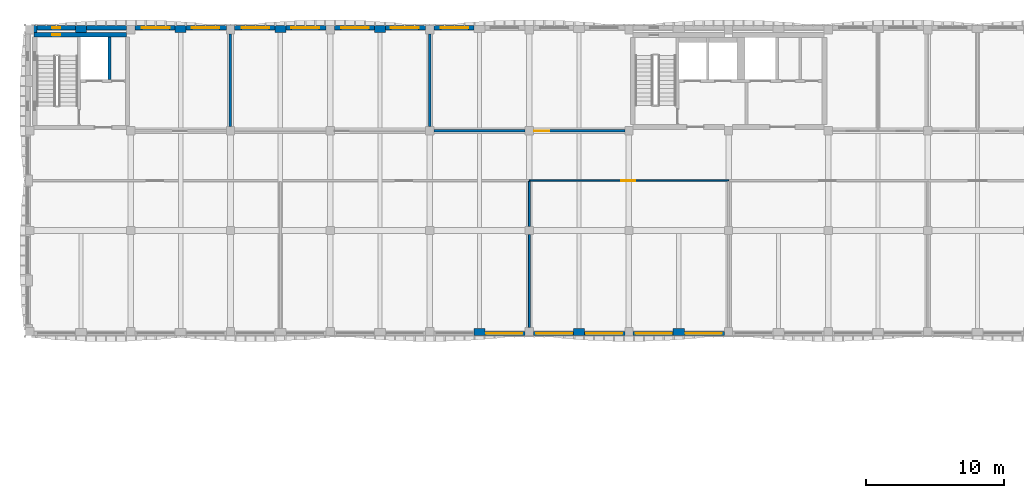
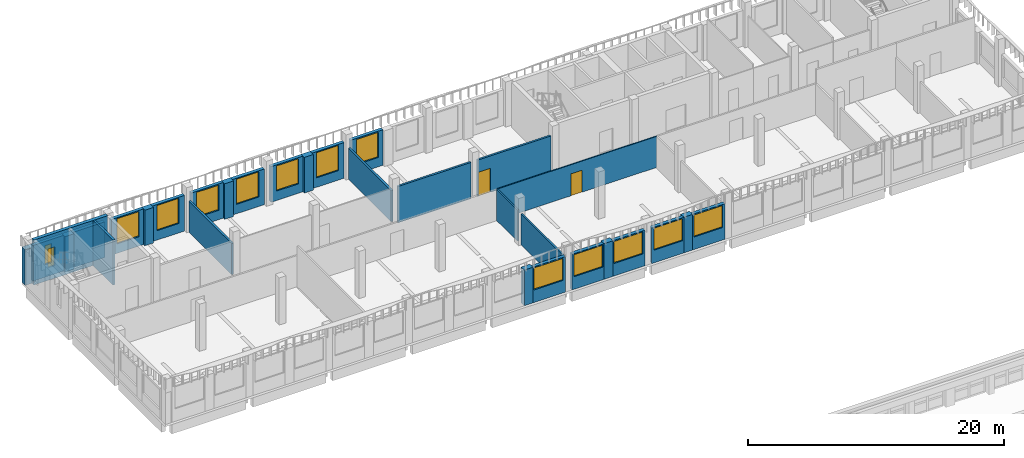
# One storey, part 14 of 38: 31 walls, 14 windows, 2 doors, 16 openings.
"""IFC4 building model written with IfcOpenShell, lengths in metres."""

from ifc_helpers import new_model, si_unit, direction, frame, frame_2d, origin, place, context, subcontext, project, spatial, rectangle, extrude, material, layer, layer_set, type_object, element, fill, save


model = new_model("IFC4")

# Units and contexts
model_context = context("Model", 3, precision=1e-05, world=origin(), true_north=direction((0.0, 1.0)))
body_context = subcontext(model_context, "Body", "Model", "MODEL_VIEW")
ifc_project = project(units=[si_unit("LENGTHUNIT", "METRE"), si_unit("AREAUNIT", "SQUARE_METRE"), si_unit("VOLUMEUNIT", "CUBIC_METRE"), si_unit("PLANEANGLEUNIT", "RADIAN"), si_unit("MASSUNIT", "GRAM", prefix="KILO")], contexts=[model_context])

# Site, building, storey
site_placement = place(None, origin())
site = spatial("IfcSite", under=ifc_project, at=site_placement, CompositionType="ELEMENT")
building_placement = place(site_placement, origin())
building = spatial("IfcBuilding", under=site, at=building_placement, Name="Ussher Court Research Institute", CompositionType="ELEMENT")
storey_placement = place(building_placement, frame((0.0, 0.0, 23.39990234375)))
storey = spatial("IfcBuildingStorey", under=building, at=storey_placement, Name="L05", CompositionType="ELEMENT", Elevation=23.39990234375)

# Wall
ifc_material_1 = material(Name="Plasterboard on steel studs with mineral wool", Category="steel")
ifc_layer_1 = layer(ifc_material_1, 0.179931640625)
ifc_layer_set_1 = layer_set([ifc_layer_1], Name="Plasterboard on steel studs with mineral wool")
wall_type_1 = type_object("IfcWallType", Name="Acoustic twin-stud partition 180", PredefinedType="PARTITIONING", material=ifc_layer_set_1)
wall_1_placement = place(storey_placement, frame((32.10009765625, 83.199951171875, 0.0), z_axis=(0.0, 0.0, 1.0), x_axis=(1.0, 0.0, 0.0)))
element("IfcWall", 1, at=wall_1_placement, inside=storey, type_object=wall_type_1, Name="Partition", PredefinedType="PARTITIONING", context=body_context, shape_type="SweptSolid", body=[
    extrude(rectangle(XDim=6.599853515625, YDim=0.179931640625, at=frame_2d((3.2998046875, 0.0))), origin(), (0.0, 0.0, 1.0), 3.47021484375),
])

# Wall, opening, door
wall_2_placement = place(storey_placement, frame((39.300048828125, 83.199951171875, 0.0), z_axis=(0.0, 0.0, 1.0), x_axis=(1.0, 0.0, 0.0)))
wall_2 = element("IfcWall", 2, at=wall_2_placement, inside=storey, type_object=wall_type_1, Name="Partition", PredefinedType="PARTITIONING", context=body_context, shape_type="SweptSolid", body=[
    extrude(rectangle(XDim=6.599853515625, YDim=0.179931640625, at=frame_2d((3.2998046875, 0.0))), origin(), (0.0, 0.0, 1.0), 3.47021484375),
])
opening_1_placement = place(wall_2_placement, frame((0.050048828125, 0.0, 0.0)))
opening_1 = element("IfcOpeningElement", 3, at=opening_1_placement, cuts=wall_2, Name="Opening D05008", PredefinedType="OPENING", context=body_context, shape_type="SweptSolid", body=[
    extrude(rectangle(XDim=1.10009765625, YDim=2.300048828125, at=frame_2d((0.550048828125, 1.14990234375))), frame((0.0, 0.10009765625, 0.0), z_axis=(0.0, -1.0, 0.0), x_axis=(1.0, 0.0, 0.0)), (0.0, 0.0, 1.0), 0.199951171875),
])
ifc_material_2 = material(Name="Veneered timber door", Category="wood")
door_type_1 = type_object("IfcDoorType", Name="Seminar room door 1100x2300", OperationType="NOTDEFINED", PredefinedType="DOOR", material=ifc_material_2)
door_1_placement = place(opening_1_placement, origin())
door_1 = element("IfcDoor", 4, at=door_1_placement, inside=storey, type_object=door_type_1, Name="Door D05008", OperationType="SINGLE_SWING_LEFT", OverallHeight=2.300048828125, OverallWidth=1.10009765625, PredefinedType="DOOR", context=body_context, shape_type="SweptSolid", body=[
    extrude(rectangle(XDim=1.10009765625, YDim=2.300048828125, at=frame_2d((0.550048828125, 1.14990234375))), frame((0.0, 0.02490234375, 0.0), z_axis=(0.0, -1.0, 0.0), x_axis=(1.0, 0.0, 0.0)), (0.0, 0.0, 1.0), 0.050048828125),
])
fill(opening_1, door_1)

# Walls
for number, where, z_axis, x_axis, name in (
    (5, (17.39990234375, 83.5, 0.0), (0.0, 0.0, 1.0), (0.0, 1.0, 0.0), "Partition"),
    (6, (31.800048828125, 83.5, 0.0), (0.0, 0.0, 1.0), (0.0, 1.0, 0.0), "Partition"),
):
    element("IfcWall", number, at=place(storey_placement, frame(where, z_axis=z_axis, x_axis=x_axis)), inside=storey, type_object=wall_type_1, Name=name, PredefinedType="PARTITIONING", context=body_context, shape_type="SweptSolid", body=[
        extrude(rectangle(XDim=6.699951171875, YDim=0.179931640625, at=frame_2d((3.35009765625, 0.0))), origin(), (0.0, 0.0, 1.0), 2.97021484375),
    ])

# Wall, opening, window
ifc_material_3 = material(Name="Blockwork with cream render", Category="masonry")
ifc_layer_2 = layer(ifc_material_3, 0.300048828125)
ifc_layer_set_2 = layer_set([ifc_layer_2], Name="Blockwork with cream render")
wall_type_2 = type_object("IfcWallType", Name="External wall 300 cream render", PredefinedType="SOLIDWALL", material=ifc_layer_set_2)
wall_3_placement = place(storey_placement, frame((53.10009765625, 68.550048828125, 0.0), z_axis=(0.0, 0.0, 1.0), x_axis=(-1.0, 0.0, 0.0)))
wall_3 = element("IfcWall", 7, at=wall_3_placement, inside=storey, type_object=wall_type_2, Name="External wall EW1 L05", PredefinedType="SOLIDWALL", context=body_context, shape_type="SweptSolid", body=[
    extrude(rectangle(XDim=2.900146484375, YDim=0.300048828125, at=frame_2d((1.4501953125, 0.0))), origin(), (0.0, 0.0, 1.0), 3.400146484375),
])
opening_2_placement = place(wall_3_placement, frame((0.199951171875, 0.0, 1.199951171875)))
opening_2 = element("IfcOpeningElement", 8, at=opening_2_placement, cuts=wall_3, Name="Opening W08", PredefinedType="OPENING", context=body_context, shape_type="SweptSolid", body=[
    extrude(rectangle(XDim=2.60009765625, YDim=2.10009765625, at=frame_2d((1.300048828125, 1.050048828125))), frame((0.0, 0.16015625, 0.0), z_axis=(0.0, -1.0, 0.0), x_axis=(1.0, 0.0, 0.0)), (0.0, 0.0, 1.0), 0.320068359375),
])
ifc_material_4 = material(Name="Bronze anodised aluminium with double glazing", Category="aluminium")
window_type_1 = type_object("IfcWindowType", Name="Dry laboratory bay window 2600x2100", PartitioningType="DOUBLE_PANEL_VERTICAL", PredefinedType="WINDOW", material=ifc_material_4)
window_1_placement = place(opening_2_placement, origin())
window_1 = element("IfcWindow", 9, at=window_1_placement, inside=storey, type_object=window_type_1, Name="Window W08 L05", OverallHeight=2.10009765625, OverallWidth=2.60009765625, PartitioningType="SINGLE_PANEL", PredefinedType="WINDOW", context=body_context, shape_type="SweptSolid", body=[
    extrude(rectangle(XDim=2.60009765625, YDim=2.10009765625, at=frame_2d((1.300048828125, 1.050048828125))), frame((0.0, 0.030029296875, 0.0), z_axis=(0.0, -1.0, 0.0), x_axis=(1.0, 0.0, 0.0)), (0.0, 0.0, 1.0), 0.06005859375),
])
fill(opening_2, window_1)

wall_4_placement = place(storey_placement, frame((49.39990234375, 68.550048828125, 0.0), z_axis=(0.0, 0.0, 1.0), x_axis=(-1.0, 0.0, 0.0)))
wall_4 = element("IfcWall", 10, at=wall_4_placement, inside=storey, type_object=wall_type_2, Name="External wall EW1 L05", PredefinedType="SOLIDWALL", context=body_context, shape_type="SweptSolid", body=[
    extrude(rectangle(XDim=2.89990234375, YDim=0.300048828125, at=frame_2d((1.449951171875, 0.0))), origin(), (0.0, 0.0, 1.0), 3.400146484375),
])
opening_3_placement = place(wall_4_placement, frame((0.10009765625, 0.0, 1.199951171875)))
opening_3 = element("IfcOpeningElement", 11, at=opening_3_placement, cuts=wall_4, Name="Opening W08", PredefinedType="OPENING", context=body_context, shape_type="SweptSolid", body=[
    extrude(rectangle(XDim=2.60009765625, YDim=2.10009765625, at=frame_2d((1.300048828125, 1.050048828125))), frame((0.0, 0.16015625, 0.0), z_axis=(0.0, -1.0, 0.0), x_axis=(1.0, 0.0, 0.0)), (0.0, 0.0, 1.0), 0.320068359375),
])
window_2_placement = place(opening_3_placement, origin())
window_2 = element("IfcWindow", 12, at=window_2_placement, inside=storey, type_object=window_type_1, Name="Window W08 L05", OverallHeight=2.10009765625, OverallWidth=2.60009765625, PartitioningType="SINGLE_PANEL", PredefinedType="WINDOW", context=body_context, shape_type="SweptSolid", body=[
    extrude(rectangle(XDim=2.60009765625, YDim=2.10009765625, at=frame_2d((1.300048828125, 1.050048828125))), frame((0.0, 0.030029296875, 0.0), z_axis=(0.0, -1.0, 0.0), x_axis=(1.0, 0.0, 0.0)), (0.0, 0.0, 1.0), 0.06005859375),
])
fill(opening_3, window_2)

wall_5_placement = place(storey_placement, frame((45.89990234375, 68.550048828125, 0.0), z_axis=(0.0, 0.0, 1.0), x_axis=(-1.0, 0.0, 0.0)))
wall_5 = element("IfcWall", 13, at=wall_5_placement, inside=storey, type_object=wall_type_2, Name="External wall EW1 L05", PredefinedType="SOLIDWALL", context=body_context, shape_type="SweptSolid", body=[
    extrude(rectangle(XDim=2.89990234375, YDim=0.300048828125, at=frame_2d((1.449951171875, 0.0))), origin(), (0.0, 0.0, 1.0), 3.400146484375),
])
opening_4_placement = place(wall_5_placement, frame((0.199951171875, 0.0, 1.199951171875)))
opening_4 = element("IfcOpeningElement", 14, at=opening_4_placement, cuts=wall_5, Name="Opening W08", PredefinedType="OPENING", context=body_context, shape_type="SweptSolid", body=[
    extrude(rectangle(XDim=2.60009765625, YDim=2.10009765625, at=frame_2d((1.300048828125, 1.050048828125))), frame((0.0, 0.16015625, 0.0), z_axis=(0.0, -1.0, 0.0), x_axis=(1.0, 0.0, 0.0)), (0.0, 0.0, 1.0), 0.320068359375),
])
window_3_placement = place(opening_4_placement, origin())
window_3 = element("IfcWindow", 15, at=window_3_placement, inside=storey, type_object=window_type_1, Name="Window W08 L05", OverallHeight=2.10009765625, OverallWidth=2.60009765625, PartitioningType="SINGLE_PANEL", PredefinedType="WINDOW", context=body_context, shape_type="SweptSolid", body=[
    extrude(rectangle(XDim=2.60009765625, YDim=2.10009765625, at=frame_2d((1.300048828125, 1.050048828125))), frame((0.0, 0.030029296875, 0.0), z_axis=(0.0, -1.0, 0.0), x_axis=(1.0, 0.0, 0.0)), (0.0, 0.0, 1.0), 0.06005859375),
])
fill(opening_4, window_3)

wall_6_placement = place(storey_placement, frame((42.199951171875, 68.550048828125, 0.0), z_axis=(0.0, 0.0, 1.0), x_axis=(-1.0, 0.0, 0.0)))
wall_6 = element("IfcWall", 16, at=wall_6_placement, inside=storey, type_object=wall_type_2, Name="External wall EW1 L05", PredefinedType="SOLIDWALL", context=body_context, shape_type="SweptSolid", body=[
    extrude(rectangle(XDim=2.89990234375, YDim=0.300048828125, at=frame_2d((1.449951171875, 0.0))), origin(), (0.0, 0.0, 1.0), 3.400146484375),
])
opening_5_placement = place(wall_6_placement, frame((0.10009765625, 0.0, 1.199951171875)))
opening_5 = element("IfcOpeningElement", 17, at=opening_5_placement, cuts=wall_6, Name="Opening W08", PredefinedType="OPENING", context=body_context, shape_type="SweptSolid", body=[
    extrude(rectangle(XDim=2.60009765625, YDim=2.10009765625, at=frame_2d((1.300048828125, 1.050048828125))), frame((0.0, 0.16015625, 0.0), z_axis=(0.0, -1.0, 0.0), x_axis=(1.0, 0.0, 0.0)), (0.0, 0.0, 1.0), 0.320068359375),
])
window_4_placement = place(opening_5_placement, origin())
window_4 = element("IfcWindow", 18, at=window_4_placement, inside=storey, type_object=window_type_1, Name="Window W08 L05", OverallHeight=2.10009765625, OverallWidth=2.60009765625, PartitioningType="SINGLE_PANEL", PredefinedType="WINDOW", context=body_context, shape_type="SweptSolid", body=[
    extrude(rectangle(XDim=2.60009765625, YDim=2.10009765625, at=frame_2d((1.300048828125, 1.050048828125))), frame((0.0, 0.030029296875, 0.0), z_axis=(0.0, -1.0, 0.0), x_axis=(1.0, 0.0, 0.0)), (0.0, 0.0, 1.0), 0.06005859375),
])
fill(opening_5, window_4)

wall_7_placement = place(storey_placement, frame((38.699951171875, 68.550048828125, 0.0), z_axis=(0.0, 0.0, 1.0), x_axis=(-1.0, 0.0, 0.0)))
wall_7 = element("IfcWall", 19, at=wall_7_placement, inside=storey, type_object=wall_type_2, Name="External wall EW1 L05", PredefinedType="SOLIDWALL", context=body_context, shape_type="SweptSolid", body=[
    extrude(rectangle(XDim=2.89990234375, YDim=0.300048828125, at=frame_2d((1.449951171875, 0.0))), origin(), (0.0, 0.0, 1.0), 3.400146484375),
])
opening_6_placement = place(wall_7_placement, frame((0.199951171875, 0.0, 1.199951171875)))
opening_6 = element("IfcOpeningElement", 20, at=opening_6_placement, cuts=wall_7, Name="Opening W08", PredefinedType="OPENING", context=body_context, shape_type="SweptSolid", body=[
    extrude(rectangle(XDim=2.60009765625, YDim=2.10009765625, at=frame_2d((1.300048828125, 1.050048828125))), frame((0.0, 0.16015625, 0.0), z_axis=(0.0, -1.0, 0.0), x_axis=(1.0, 0.0, 0.0)), (0.0, 0.0, 1.0), 0.320068359375),
])
window_5_placement = place(opening_6_placement, origin())
window_5 = element("IfcWindow", 21, at=window_5_placement, inside=storey, type_object=window_type_1, Name="Window W08 L05", OverallHeight=2.10009765625, OverallWidth=2.60009765625, PartitioningType="SINGLE_PANEL", PredefinedType="WINDOW", context=body_context, shape_type="SweptSolid", body=[
    extrude(rectangle(XDim=2.60009765625, YDim=2.10009765625, at=frame_2d((1.300048828125, 1.050048828125))), frame((0.0, 0.030029296875, 0.0), z_axis=(0.0, -1.0, 0.0), x_axis=(1.0, 0.0, 0.0)), (0.0, 0.0, 1.0), 0.06005859375),
])
fill(opening_6, window_5)

wall_8_placement = place(storey_placement, frame((10.5, 90.64990234375, 0.0), z_axis=(0.0, 0.0, 1.0), x_axis=(1.0, 0.0, 0.0)))
wall_8 = element("IfcWall", 22, at=wall_8_placement, inside=storey, type_object=wall_type_2, Name="External wall EW1 L05", PredefinedType="SOLIDWALL", context=body_context, shape_type="SweptSolid", body=[
    extrude(rectangle(XDim=2.89990234375, YDim=0.300048828125, at=frame_2d((1.449951171875, 0.0))), origin(), (0.0, 0.0, 1.0), 3.400146484375),
])
opening_7_placement = place(wall_8_placement, frame((0.5, 0.0, 0.89990234375)))
opening_7 = element("IfcOpeningElement", 23, at=opening_7_placement, cuts=wall_8, Name="Opening W14", PredefinedType="OPENING", context=body_context, shape_type="SweptSolid", body=[
    extrude(rectangle(XDim=2.0, YDim=2.39990234375, at=frame_2d((1.0, 1.199951171875))), frame((0.0, 0.16015625, 0.0), z_axis=(0.0, -1.0, 0.0), x_axis=(1.0, 0.0, 0.0)), (0.0, 0.0, 1.0), 0.320068359375),
])
ifc_material_5 = material(Name="Bronze anodised aluminium with double glazing", Category="aluminium")
window_type_2 = type_object("IfcWindowType", Name="Seminar and write-up office window 2000x2400", PartitioningType="DOUBLE_PANEL_VERTICAL", PredefinedType="WINDOW", material=ifc_material_5)
window_6_placement = place(opening_7_placement, origin())
window_6 = element("IfcWindow", 24, at=window_6_placement, inside=storey, type_object=window_type_2, Name="Window W14 L05", OverallHeight=2.39990234375, OverallWidth=2.0, PartitioningType="SINGLE_PANEL", PredefinedType="WINDOW", context=body_context, shape_type="SweptSolid", body=[
    extrude(rectangle(XDim=2.0, YDim=2.39990234375, at=frame_2d((1.0, 1.199951171875))), frame((0.0, 0.030029296875, 0.0), z_axis=(0.0, -1.0, 0.0), x_axis=(1.0, 0.0, 0.0)), (0.0, 0.0, 1.0), 0.06005859375),
])
fill(opening_7, window_6)

wall_9_placement = place(storey_placement, frame((14.199951171875, 90.64990234375, 0.0), z_axis=(0.0, 0.0, 1.0), x_axis=(1.0, 0.0, 0.0)))
wall_9 = element("IfcWall", 25, at=wall_9_placement, inside=storey, type_object=wall_type_2, Name="External wall EW1 L05", PredefinedType="SOLIDWALL", context=body_context, shape_type="SweptSolid", body=[
    extrude(rectangle(XDim=2.900146484375, YDim=0.300048828125, at=frame_2d((1.4501953125, 0.0))), origin(), (0.0, 0.0, 1.0), 3.400146484375),
])
opening_8_placement = place(wall_9_placement, frame((0.39990234375, 0.0, 0.89990234375)))
opening_8 = element("IfcOpeningElement", 26, at=opening_8_placement, cuts=wall_9, Name="Opening W14", PredefinedType="OPENING", context=body_context, shape_type="SweptSolid", body=[
    extrude(rectangle(XDim=2.0, YDim=2.39990234375, at=frame_2d((1.0, 1.199951171875))), frame((0.0, 0.16015625, 0.0), z_axis=(0.0, -1.0, 0.0), x_axis=(1.0, 0.0, 0.0)), (0.0, 0.0, 1.0), 0.320068359375),
])
window_7_placement = place(opening_8_placement, origin())
window_7 = element("IfcWindow", 27, at=window_7_placement, inside=storey, type_object=window_type_2, Name="Window W14 L05", OverallHeight=2.39990234375, OverallWidth=2.0, PartitioningType="SINGLE_PANEL", PredefinedType="WINDOW", context=body_context, shape_type="SweptSolid", body=[
    extrude(rectangle(XDim=2.0, YDim=2.39990234375, at=frame_2d((1.0, 1.199951171875))), frame((0.0, 0.030029296875, 0.0), z_axis=(0.0, -1.0, 0.0), x_axis=(1.0, 0.0, 0.0)), (0.0, 0.0, 1.0), 0.06005859375),
])
fill(opening_8, window_7)

wall_10_placement = place(storey_placement, frame((17.699951171875, 90.64990234375, 0.0), z_axis=(0.0, 0.0, 1.0), x_axis=(1.0, 0.0, 0.0)))
wall_10 = element("IfcWall", 28, at=wall_10_placement, inside=storey, type_object=wall_type_2, Name="External wall EW1 L05", PredefinedType="SOLIDWALL", context=body_context, shape_type="SweptSolid", body=[
    extrude(rectangle(XDim=2.900146484375, YDim=0.300048828125, at=frame_2d((1.4501953125, 0.0))), origin(), (0.0, 0.0, 1.0), 3.400146484375),
])
opening_9_placement = place(wall_10_placement, frame((0.5, 0.0, 0.89990234375)))
opening_9 = element("IfcOpeningElement", 29, at=opening_9_placement, cuts=wall_10, Name="Opening W14", PredefinedType="OPENING", context=body_context, shape_type="SweptSolid", body=[
    extrude(rectangle(XDim=2.0, YDim=2.39990234375, at=frame_2d((1.0, 1.199951171875))), frame((0.0, 0.16015625, 0.0), z_axis=(0.0, -1.0, 0.0), x_axis=(1.0, 0.0, 0.0)), (0.0, 0.0, 1.0), 0.320068359375),
])
window_8_placement = place(opening_9_placement, origin())
window_8 = element("IfcWindow", 30, at=window_8_placement, inside=storey, type_object=window_type_2, Name="Window W14 L05", OverallHeight=2.39990234375, OverallWidth=2.0, PartitioningType="SINGLE_PANEL", PredefinedType="WINDOW", context=body_context, shape_type="SweptSolid", body=[
    extrude(rectangle(XDim=2.0, YDim=2.39990234375, at=frame_2d((1.0, 1.199951171875))), frame((0.0, 0.030029296875, 0.0), z_axis=(0.0, -1.0, 0.0), x_axis=(1.0, 0.0, 0.0)), (0.0, 0.0, 1.0), 0.06005859375),
])
fill(opening_9, window_8)

wall_11_placement = place(storey_placement, frame((21.39990234375, 90.64990234375, 0.0), z_axis=(0.0, 0.0, 1.0), x_axis=(1.0, 0.0, 0.0)))
wall_11 = element("IfcWall", 31, at=wall_11_placement, inside=storey, type_object=wall_type_2, Name="External wall EW1 L05", PredefinedType="SOLIDWALL", context=body_context, shape_type="SweptSolid", body=[
    extrude(rectangle(XDim=2.900146484375, YDim=0.300048828125, at=frame_2d((1.4501953125, 0.0))), origin(), (0.0, 0.0, 1.0), 3.400146484375),
])
opening_10_placement = place(wall_11_placement, frame((0.39990234375, 0.0, 0.89990234375)))
opening_10 = element("IfcOpeningElement", 32, at=opening_10_placement, cuts=wall_11, Name="Opening W14", PredefinedType="OPENING", context=body_context, shape_type="SweptSolid", body=[
    extrude(rectangle(XDim=2.0, YDim=2.39990234375, at=frame_2d((1.0, 1.199951171875))), frame((0.0, 0.16015625, 0.0), z_axis=(0.0, -1.0, 0.0), x_axis=(1.0, 0.0, 0.0)), (0.0, 0.0, 1.0), 0.320068359375),
])
window_9_placement = place(opening_10_placement, origin())
window_9 = element("IfcWindow", 33, at=window_9_placement, inside=storey, type_object=window_type_2, Name="Window W14 L05", OverallHeight=2.39990234375, OverallWidth=2.0, PartitioningType="SINGLE_PANEL", PredefinedType="WINDOW", context=body_context, shape_type="SweptSolid", body=[
    extrude(rectangle(XDim=2.0, YDim=2.39990234375, at=frame_2d((1.0, 1.199951171875))), frame((0.0, 0.030029296875, 0.0), z_axis=(0.0, -1.0, 0.0), x_axis=(1.0, 0.0, 0.0)), (0.0, 0.0, 1.0), 0.06005859375),
])
fill(opening_10, window_9)

wall_12_placement = place(storey_placement, frame((24.89990234375, 90.64990234375, 0.0), z_axis=(0.0, 0.0, 1.0), x_axis=(1.0, 0.0, 0.0)))
wall_12 = element("IfcWall", 34, at=wall_12_placement, inside=storey, type_object=wall_type_2, Name="External wall EW1 L05", PredefinedType="SOLIDWALL", context=body_context, shape_type="SweptSolid", body=[
    extrude(rectangle(XDim=2.900146484375, YDim=0.300048828125, at=frame_2d((1.4501953125, 0.0))), origin(), (0.0, 0.0, 1.0), 3.400146484375),
])
opening_11_placement = place(wall_12_placement, frame((0.5, 0.0, 0.89990234375)))
opening_11 = element("IfcOpeningElement", 35, at=opening_11_placement, cuts=wall_12, Name="Opening W14", PredefinedType="OPENING", context=body_context, shape_type="SweptSolid", body=[
    extrude(rectangle(XDim=2.0, YDim=2.39990234375, at=frame_2d((1.0, 1.199951171875))), frame((0.0, 0.16015625, 0.0), z_axis=(0.0, -1.0, 0.0), x_axis=(1.0, 0.0, 0.0)), (0.0, 0.0, 1.0), 0.320068359375),
])
window_10_placement = place(opening_11_placement, origin())
window_10 = element("IfcWindow", 36, at=window_10_placement, inside=storey, type_object=window_type_2, Name="Window W14 L05", OverallHeight=2.39990234375, OverallWidth=2.0, PartitioningType="SINGLE_PANEL", PredefinedType="WINDOW", context=body_context, shape_type="SweptSolid", body=[
    extrude(rectangle(XDim=2.0, YDim=2.39990234375, at=frame_2d((1.0, 1.199951171875))), frame((0.0, 0.030029296875, 0.0), z_axis=(0.0, -1.0, 0.0), x_axis=(1.0, 0.0, 0.0)), (0.0, 0.0, 1.0), 0.06005859375),
])
fill(opening_11, window_10)

wall_13_placement = place(storey_placement, frame((28.60009765625, 90.64990234375, 0.0), z_axis=(0.0, 0.0, 1.0), x_axis=(1.0, 0.0, 0.0)))
wall_13 = element("IfcWall", 37, at=wall_13_placement, inside=storey, type_object=wall_type_2, Name="External wall EW1 L05", PredefinedType="SOLIDWALL", context=body_context, shape_type="SweptSolid", body=[
    extrude(rectangle(XDim=2.89990234375, YDim=0.300048828125, at=frame_2d((1.449951171875, 0.0))), origin(), (0.0, 0.0, 1.0), 3.400146484375),
])
opening_12_placement = place(wall_13_placement, frame((0.39990234375, 0.0, 0.89990234375)))
opening_12 = element("IfcOpeningElement", 38, at=opening_12_placement, cuts=wall_13, Name="Opening W14", PredefinedType="OPENING", context=body_context, shape_type="SweptSolid", body=[
    extrude(rectangle(XDim=2.0, YDim=2.39990234375, at=frame_2d((1.0, 1.199951171875))), frame((0.0, 0.16015625, 0.0), z_axis=(0.0, -1.0, 0.0), x_axis=(1.0, 0.0, 0.0)), (0.0, 0.0, 1.0), 0.320068359375),
])
window_11_placement = place(opening_12_placement, origin())
window_11 = element("IfcWindow", 39, at=window_11_placement, inside=storey, type_object=window_type_2, Name="Window W14 L05", OverallHeight=2.39990234375, OverallWidth=2.0, PartitioningType="SINGLE_PANEL", PredefinedType="WINDOW", context=body_context, shape_type="SweptSolid", body=[
    extrude(rectangle(XDim=2.0, YDim=2.39990234375, at=frame_2d((1.0, 1.199951171875))), frame((0.0, 0.030029296875, 0.0), z_axis=(0.0, -1.0, 0.0), x_axis=(1.0, 0.0, 0.0)), (0.0, 0.0, 1.0), 0.06005859375),
])
fill(opening_12, window_11)

wall_14_placement = place(storey_placement, frame((32.10009765625, 90.64990234375, 0.0), z_axis=(0.0, 0.0, 1.0), x_axis=(1.0, 0.0, 0.0)))
wall_14 = element("IfcWall", 40, at=wall_14_placement, inside=storey, type_object=wall_type_2, Name="External wall EW1 L05", PredefinedType="SOLIDWALL", context=body_context, shape_type="SweptSolid", body=[
    extrude(rectangle(XDim=2.89990234375, YDim=0.300048828125, at=frame_2d((1.449951171875, 0.0))), origin(), (0.0, 0.0, 1.0), 3.400146484375),
])
opening_13_placement = place(wall_14_placement, frame((0.5, 0.0, 0.89990234375)))
opening_13 = element("IfcOpeningElement", 41, at=opening_13_placement, cuts=wall_14, Name="Opening W14", PredefinedType="OPENING", context=body_context, shape_type="SweptSolid", body=[
    extrude(rectangle(XDim=2.0, YDim=2.39990234375, at=frame_2d((1.0, 1.199951171875))), frame((0.0, 0.16015625, 0.0), z_axis=(0.0, -1.0, 0.0), x_axis=(1.0, 0.0, 0.0)), (0.0, 0.0, 1.0), 0.320068359375),
])
window_12_placement = place(opening_13_placement, origin())
window_12 = element("IfcWindow", 42, at=window_12_placement, inside=storey, type_object=window_type_2, Name="Window W14 L05", OverallHeight=2.39990234375, OverallWidth=2.0, PartitioningType="SINGLE_PANEL", PredefinedType="WINDOW", context=body_context, shape_type="SweptSolid", body=[
    extrude(rectangle(XDim=2.0, YDim=2.39990234375, at=frame_2d((1.0, 1.199951171875))), frame((0.0, 0.030029296875, 0.0), z_axis=(0.0, -1.0, 0.0), x_axis=(1.0, 0.0, 0.0)), (0.0, 0.0, 1.0), 0.06005859375),
])
fill(opening_13, window_12)

ifc_material_6 = material(Name="Limestone facing on blockwork", Category="masonry")
ifc_layer_3 = layer(ifc_material_6, 0.300048828125)
ifc_layer_set_3 = layer_set([ifc_layer_3], Name="Limestone facing on blockwork")
wall_type_3 = type_object("IfcWallType", Name="External wall 300 stair enclosure", PredefinedType="SOLIDWALL", material=ifc_layer_set_3)
wall_15_placement = place(storey_placement, frame((3.39990234375, 90.64990234375, 0.0), z_axis=(0.0, 0.0, 1.0), x_axis=(1.0, 0.0, 0.0)))
wall_15 = element("IfcWall", 43, at=wall_15_placement, inside=storey, type_object=wall_type_3, Name="External wall EW5 L05", PredefinedType="SOLIDWALL", context=body_context, shape_type="SweptSolid", body=[
    extrude(rectangle(XDim=2.800048828125, YDim=0.300048828125, at=frame_2d((1.39990234375, 0.0))), origin(), (0.0, 0.0, 1.0), 3.400146484375),
])
opening_14_placement = place(wall_15_placement, frame((1.10009765625, 0.0, 1.199951171875)))
opening_14 = element("IfcOpeningElement", 44, at=opening_14_placement, cuts=wall_15, Name="Opening W25", PredefinedType="OPENING", context=body_context, shape_type="SweptSolid", body=[
    extrude(rectangle(XDim=0.60009765625, YDim=1.800048828125, at=frame_2d((0.300048828125, 0.89990234375))), frame((0.0, 0.16015625, 0.0), z_axis=(0.0, -1.0, 0.0), x_axis=(1.0, 0.0, 0.0)), (0.0, 0.0, 1.0), 0.320068359375),
])
ifc_material_7 = material(Name="Bronze anodised aluminium with double glazing", Category="aluminium")
window_type_3 = type_object("IfcWindowType", Name="Stair light slot window 600x1800 fire-resisting glazing", PartitioningType="SINGLE_PANEL", PredefinedType="WINDOW", material=ifc_material_7)
window_13_placement = place(opening_14_placement, origin())
window_13 = element("IfcWindow", 45, at=window_13_placement, inside=storey, type_object=window_type_3, Name="Window W25 L05", OverallHeight=1.800048828125, OverallWidth=0.60009765625, PartitioningType="SINGLE_PANEL", PredefinedType="WINDOW", context=body_context, shape_type="SweptSolid", body=[
    extrude(rectangle(XDim=0.60009765625, YDim=1.800048828125, at=frame_2d((0.300048828125, 0.89990234375))), frame((0.0, 0.030029296875, 0.0), z_axis=(0.0, -1.0, 0.0), x_axis=(1.0, 0.0, 0.0)), (0.0, 0.0, 1.0), 0.06005859375),
])
fill(opening_14, window_13)

# Walls
wall_16_placement = place(storey_placement, frame((7.0, 90.64990234375, 0.0), z_axis=(0.0, 0.0, 1.0), x_axis=(1.0, 0.0, 0.0)))
element("IfcWall", 46, at=wall_16_placement, inside=storey, type_object=wall_type_3, Name="External wall EW5 L05", PredefinedType="SOLIDWALL", context=body_context, shape_type="SweptSolid", body=[
    extrude(rectangle(XDim=2.89990234375, YDim=0.300048828125, at=frame_2d((1.449951171875, 0.0))), origin(), (0.0, 0.0, 1.0), 3.400146484375),
])
ifc_material_8 = material(Name="Plastered blockwork", Category="masonry")
ifc_layer_4 = layer(ifc_material_8, 0.139892578125)
ifc_layer_set_4 = layer_set([ifc_layer_4], Name="Plastered blockwork")
wall_type_4 = type_object("IfcWallType", Name="Laboratory blockwork partition 140", PredefinedType="PARTITIONING", material=ifc_layer_set_4)
wall_17_placement = place(storey_placement, frame((39.0, 69.0, 0.0), z_axis=(0.0, 0.0, 1.0), x_axis=(0.0, 1.0, 0.0)))
element("IfcWall", 47, at=wall_17_placement, inside=storey, type_object=wall_type_4, Name="Partition", PredefinedType="PARTITIONING", context=body_context, shape_type="SweptSolid", body=[
    extrude(rectangle(XDim=6.699951171875, YDim=0.139892578125, at=frame_2d((3.35009765625, 0.0))), origin(), (0.0, 0.0, 1.0), 2.97021484375),
])
wall_18_placement = place(storey_placement, frame((39.0, 76.300048828125, 0.0), z_axis=(0.0, 0.0, 1.0), x_axis=(0.0, 1.0, 0.0)))
element("IfcWall", 48, at=wall_18_placement, inside=storey, type_object=wall_type_4, Name="Partition", PredefinedType="PARTITIONING", context=body_context, shape_type="SweptSolid", body=[
    extrude(rectangle(XDim=3.25, YDim=0.139892578125, at=frame_2d((1.625, 0.0))), origin(), (0.0, 0.0, 1.0), 2.97021484375),
])

# Wall, opening, door
ifc_material_9 = material(Name="Plastered blockwork", Category="masonry")
ifc_layer_5 = layer(ifc_material_9, 0.10009765625)
ifc_layer_set_5 = layer_set([ifc_layer_5], Name="Plastered blockwork")
wall_type_5 = type_object("IfcWallType", Name="Partition plastered blockwork 100", PredefinedType="PARTITIONING", material=ifc_layer_set_5)
wall_19_placement = place(storey_placement, frame((53.39990234375, 79.60009765625, 0.0), z_axis=(0.0, 0.0, 1.0), x_axis=(-1.0, 0.0, 0.0)))
wall_19 = element("IfcWall", 49, at=wall_19_placement, inside=storey, type_object=wall_type_5, Name="Partition", PredefinedType="PARTITIONING", context=body_context, shape_type="SweptSolid", body=[
    extrude(rectangle(XDim=14.39990234375, YDim=0.10009765625, at=frame_2d((7.199951171875, 0.0))), origin(), (0.0, 0.0, 1.0), 2.97021484375),
])
opening_15_placement = place(wall_19_placement, frame((6.75, 0.0, 0.0)))
opening_15 = element("IfcOpeningElement", 50, at=opening_15_placement, cuts=wall_19, Name="Opening D05009", PredefinedType="OPENING", context=body_context, shape_type="SweptSolid", body=[
    extrude(rectangle(XDim=1.0, YDim=2.10009765625, at=frame_2d((0.5, 1.050048828125))), frame((0.0, 0.06005859375, 0.0), z_axis=(0.0, -1.0, 0.0), x_axis=(1.0, 0.0, 0.0)), (0.0, 0.0, 1.0), 0.1201171875),
])
ifc_material_10 = material(Name="Veneered timber door", Category="wood")
door_type_2 = type_object("IfcDoorType", Name="Office door 1000x2100", OperationType="NOTDEFINED", PredefinedType="DOOR", material=ifc_material_10)
door_2_placement = place(opening_15_placement, origin())
door_2 = element("IfcDoor", 51, at=door_2_placement, inside=storey, type_object=door_type_2, Name="Door D05009", OperationType="SINGLE_SWING_RIGHT", OverallHeight=2.10009765625, OverallWidth=1.0, PredefinedType="DOOR", context=body_context, shape_type="SweptSolid", body=[
    extrude(rectangle(XDim=1.0, YDim=2.10009765625, at=frame_2d((0.5, 1.050048828125))), frame((0.0, 0.02490234375, 0.0), z_axis=(0.0, -1.0, 0.0), x_axis=(1.0, 0.0, 0.0)), (0.0, 0.0, 1.0), 0.050048828125),
])
fill(opening_15, door_2)

# Walls
ifc_material_11 = material(Name="Blockwork with cream render", Category="masonry")
ifc_layer_6 = layer(ifc_material_11, 0.5)
ifc_layer_set_6 = layer_set([ifc_layer_6], Name="Blockwork with cream render")
wall_type_6 = type_object("IfcWallType", Name="Pier 800x500 cream render", PredefinedType="SOLIDWALL", material=ifc_layer_set_6)
for number, where, z_axis, x_axis, name in (
    (52, (50.199951171875, 68.64990234375, 0.0), (0.0, 0.0, 1.0), (-1.0, 0.0, 0.0), "Pier PR1 L05"),
    (53, (43.0, 68.64990234375, 0.0), (0.0, 0.0, 1.0), (-1.0, 0.0, 0.0), "Pier PR1 L05"),
    (54, (35.800048828125, 68.64990234375, 0.0), (0.0, 0.0, 1.0), (-1.0, 0.0, 0.0), "Pier PR1 L05"),
):
    element("IfcWall", number, at=place(storey_placement, frame(where, z_axis=z_axis, x_axis=x_axis)), inside=storey, type_object=wall_type_6, Name=name, PredefinedType="SOLIDWALL", context=body_context, shape_type="SweptSolid", body=[
        extrude(rectangle(XDim=0.800048828125, YDim=0.5, at=frame_2d((0.39990234375, 0.0))), origin(), (0.0, 0.0, 1.0), 3.400146484375),
    ])
wall_20_placement = place(storey_placement, frame((2.60009765625, 90.550048828125, 0.0), z_axis=(0.0, 0.0, 1.0), x_axis=(1.0, 0.0, 0.0)))
element("IfcWall", 55, at=wall_20_placement, inside=storey, type_object=wall_type_6, Name="Pier PR1 L05", PredefinedType="SOLIDWALL", context=body_context, shape_type="SweptSolid", body=[
    extrude(rectangle(XDim=0.7998046875, YDim=0.5, at=frame_2d((0.39990234375, 0.0))), origin(), (0.0, 0.0, 1.0), 3.400146484375),
])
for number, where, z_axis, x_axis, name in (
    (56, (6.199951171875, 90.550048828125, 0.0), (0.0, 0.0, 1.0), (1.0, 0.0, 0.0), "Pier PR1 L05"),
    (57, (13.39990234375, 90.550048828125, 0.0), (0.0, 0.0, 1.0), (1.0, 0.0, 0.0), "Pier PR1 L05"),
):
    element("IfcWall", number, at=place(storey_placement, frame(where, z_axis=z_axis, x_axis=x_axis)), inside=storey, type_object=wall_type_6, Name=name, PredefinedType="SOLIDWALL", context=body_context, shape_type="SweptSolid", body=[
        extrude(rectangle(XDim=0.800048828125, YDim=0.5, at=frame_2d((0.39990234375, 0.0))), origin(), (0.0, 0.0, 1.0), 3.400146484375),
    ])
wall_21_placement = place(storey_placement, frame((20.60009765625, 90.550048828125, 0.0), z_axis=(0.0, 0.0, 1.0), x_axis=(1.0, 0.0, 0.0)))
element("IfcWall", 58, at=wall_21_placement, inside=storey, type_object=wall_type_6, Name="Pier PR1 L05", PredefinedType="SOLIDWALL", context=body_context, shape_type="SweptSolid", body=[
    extrude(rectangle(XDim=0.7998046875, YDim=0.5, at=frame_2d((0.39990234375, 0.0))), origin(), (0.0, 0.0, 1.0), 3.400146484375),
])
wall_22_placement = place(storey_placement, frame((27.800048828125, 90.550048828125, 0.0), z_axis=(0.0, 0.0, 1.0), x_axis=(1.0, 0.0, 0.0)))
element("IfcWall", 59, at=wall_22_placement, inside=storey, type_object=wall_type_6, Name="Pier PR1 L05", PredefinedType="SOLIDWALL", context=body_context, shape_type="SweptSolid", body=[
    extrude(rectangle(XDim=0.800048828125, YDim=0.5, at=frame_2d((0.39990234375, 0.0))), origin(), (0.0, 0.0, 1.0), 3.400146484375),
])
ifc_material_12 = material(Name="Concrete C35/45", Category="concrete")
ifc_layer_7 = layer(ifc_material_12, 0.199951171875)
ifc_layer_set_7 = layer_set([ifc_layer_7], Name="Concrete C35/45")
wall_type_7 = type_object("IfcWallType", Name="RC core wall 200", PredefinedType="SHEAR", material=ifc_layer_set_7)
wall_23_placement = place(storey_placement, frame((8.64990234375, 86.89990234375, 0.0), z_axis=(0.0, 0.0, 1.0), x_axis=(0.0, 1.0, 0.0)))
element("IfcWall", 60, at=wall_23_placement, inside=storey, type_object=wall_type_7, Name="Core wall D1", PredefinedType="SHEAR", context=body_context, shape_type="SweptSolid", body=[
    extrude(rectangle(XDim=3.10009765625, YDim=0.199951171875, at=frame_2d((1.550048828125, 0.0))), origin(), (0.0, 0.0, 1.0), 4.300048828125),
])

# Wall, opening, window
ifc_material_13 = material(Name="Concrete C35/45", Category="concrete")
ifc_layer_8 = layer(ifc_material_13, 0.300048828125)
ifc_layer_set_8 = layer_set([ifc_layer_8], Name="Concrete C35/45")
wall_type_8 = type_object("IfcWallType", Name="RC core wall 300", PredefinedType="SHEAR", material=ifc_layer_set_8)
wall_24_placement = place(storey_placement, frame((3.199951171875, 90.14990234375, 0.0), z_axis=(0.0, 0.0, 1.0), x_axis=(1.0, 0.0, 0.0)))
wall_24 = element("IfcWall", 61, at=wall_24_placement, inside=storey, type_object=wall_type_8, Name="Core wall D1", PredefinedType="SHEAR", context=body_context, shape_type="SweptSolid", body=[
    extrude(rectangle(XDim=6.699951171875, YDim=0.300048828125, at=frame_2d((3.35009765625, 0.0))), origin(), (0.0, 0.0, 1.0), 4.300048828125),
])
opening_16_placement = place(wall_24_placement, frame((1.300048828125, 0.0, 1.199951171875)))
opening_16 = element("IfcOpeningElement", 62, at=opening_16_placement, cuts=wall_24, Name="Opening W25", PredefinedType="OPENING", context=body_context, shape_type="SweptSolid", body=[
    extrude(rectangle(XDim=0.60009765625, YDim=1.800048828125, at=frame_2d((0.300048828125, 0.89990234375))), frame((0.0, 0.16015625, 0.0), z_axis=(0.0, -1.0, 0.0), x_axis=(1.0, 0.0, 0.0)), (0.0, 0.0, 1.0), 0.320068359375),
])
window_14_placement = place(opening_16_placement, origin())
window_14 = element("IfcWindow", 63, at=window_14_placement, inside=storey, type_object=window_type_3, Name="Window stair light D1 L05", OverallHeight=1.800048828125, OverallWidth=0.60009765625, PartitioningType="SINGLE_PANEL", PredefinedType="WINDOW", context=body_context, shape_type="SweptSolid", body=[
    extrude(rectangle(XDim=0.60009765625, YDim=1.800048828125, at=frame_2d((0.300048828125, 0.89990234375))), frame((0.0, 0.030029296875, 0.0), z_axis=(0.0, -1.0, 0.0), x_axis=(1.0, 0.0, 0.0)), (0.0, 0.0, 1.0), 0.06005859375),
])
fill(opening_16, window_14)

save(model, "model.ifc")
